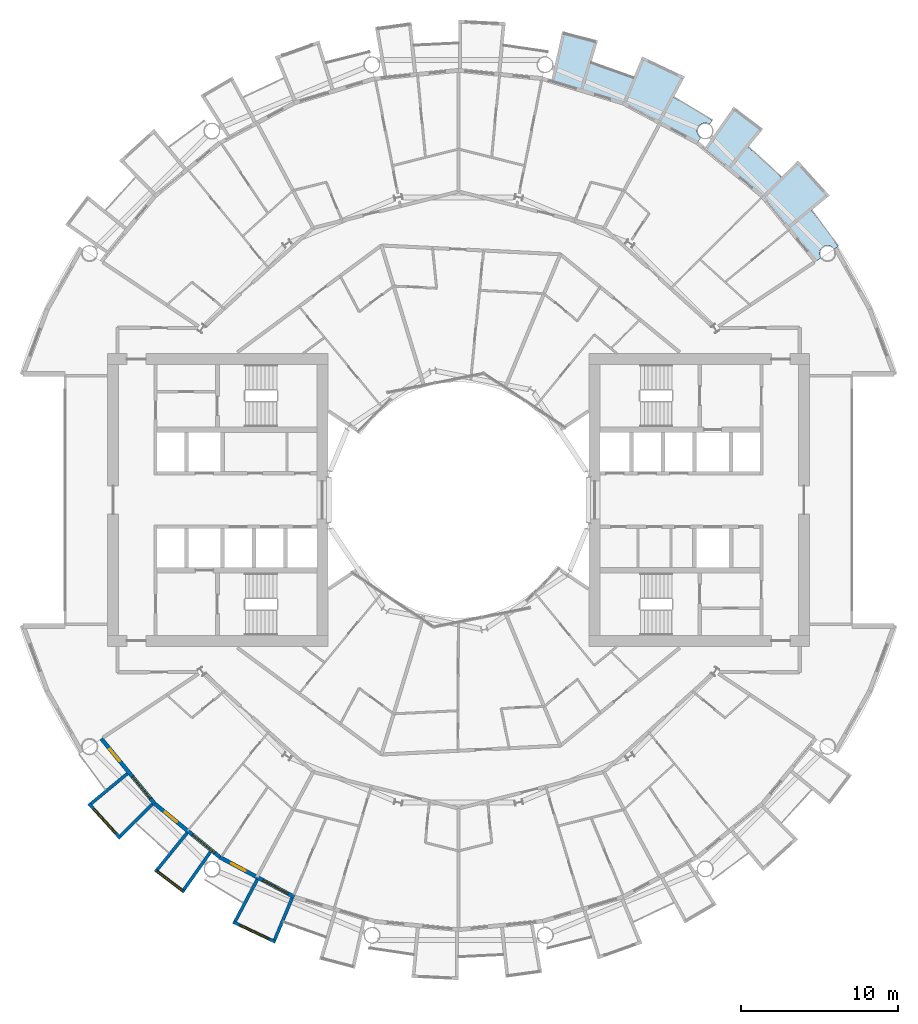
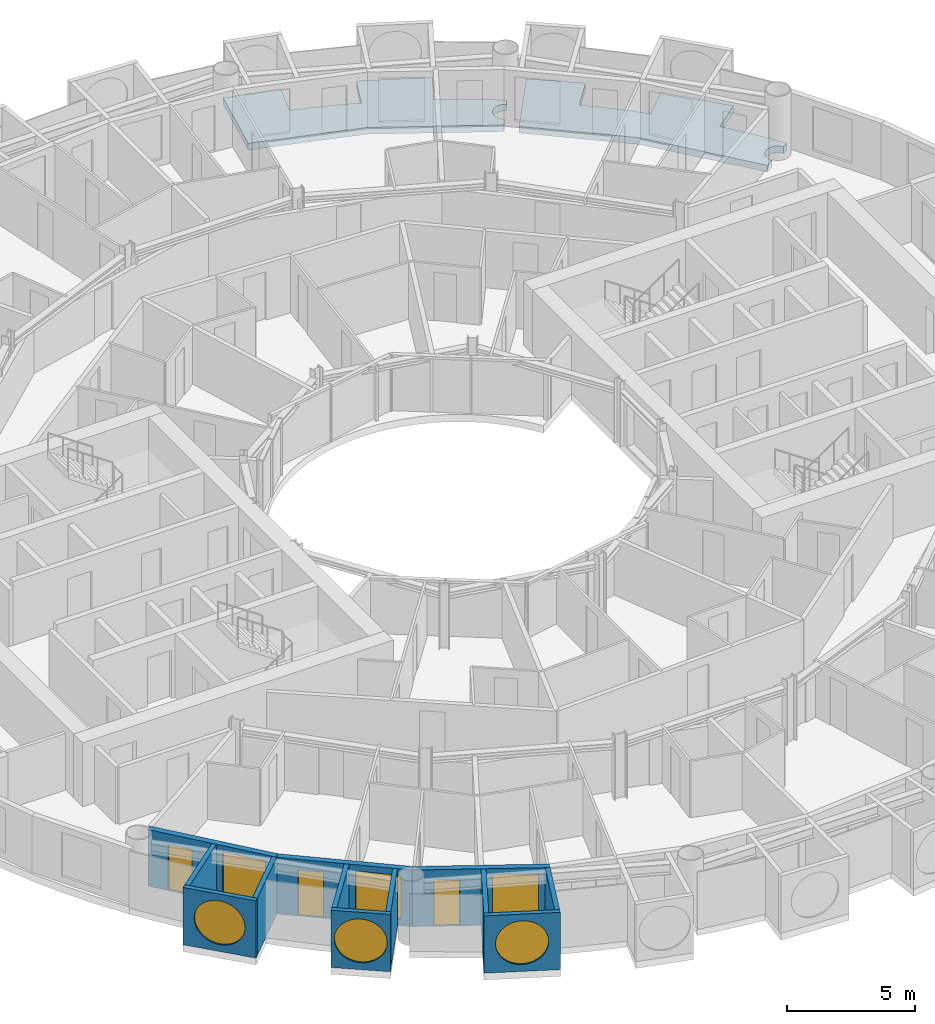
# One storey, part 12 of 26: 12 walls, 6 windows, 3 doors, 2 slabs, 9 openings.
"""IFC4 building model written with IfcOpenShell, lengths in metres."""

from ifc_helpers import new_model, si_unit, direction, frame, frame_2d, origin, place, context, subcontext, project, spatial, polyline, rectangle, circle, outline, extrude, material, layer, layer_set, type_object, element, fill, save


model = new_model("IFC4")

# Units and contexts
model_context = context("Model", 3, precision=1e-05, world=origin(), true_north=direction((0.0, 1.0)))
body_context = subcontext(model_context, "Body", "Model", "MODEL_VIEW")
ifc_project = project(units=[si_unit("LENGTHUNIT", "METRE"), si_unit("AREAUNIT", "SQUARE_METRE"), si_unit("VOLUMEUNIT", "CUBIC_METRE"), si_unit("PLANEANGLEUNIT", "RADIAN"), si_unit("MASSUNIT", "GRAM", prefix="KILO")], contexts=[model_context])

# Site, building, storey
site_placement = place(None, origin())
site = spatial("IfcSite", under=ifc_project, at=site_placement, CompositionType="ELEMENT")
building_placement = place(site_placement, origin())
building = spatial("IfcBuilding", under=site, at=building_placement, Name="Maasbend Ring Residences", CompositionType="ELEMENT")
storey_placement = place(building_placement, frame((0.0, 0.0, 81.89990234375)))
storey = spatial("IfcBuildingStorey", under=building, at=storey_placement, Name="L23", CompositionType="ELEMENT", Elevation=81.89990234375)

# Slabs
ifc_material_1 = material(Name="Concrete C40/50", Category="concrete")
ifc_layer_1 = layer(ifc_material_1, 0.199951171875)
ifc_layer_set_1 = layer_set([ifc_layer_1], Name="Concrete C40/50")
slab_type = type_object("IfcSlabType", Name="SL-LOGGIA", PredefinedType="FLOOR", material=ifc_layer_set_1)
slab_1_placement = place(storey_placement, frame((0.0, 0.0, -0.349853515625)))
element("IfcSlab", 1, at=slab_1_placement, inside=storey, type_object=slab_type, Name="Loggia floor 1", PredefinedType="FLOOR", context=body_context, shape_type="SweptSolid", body=[
    extrude(outline(polyline([(8.85400390625, 29.18701171875), (8.85400390625, 29.18701171875), (8.85400390625, 29.18701171875), (8.41796875, 27.751953125), (8.41796875, 27.751953125), (8.41796875, 27.751953125), (8.41796875, 27.751953125), (8.41796875, 27.751953125), (8.41796875, 27.751953125), (8.41796875, 27.7509765625), (8.41796875, 27.7509765625), (8.41796875, 27.7509765625), (8.41796875, 27.7509765625), (8.41796875, 27.7509765625), (8.4189453125, 27.7509765625), (8.4189453125, 27.7509765625), (8.4189453125, 27.7509765625), (8.4189453125, 27.7509765625), (8.4189453125, 27.7509765625), (8.4189453125, 27.7509765625), (9.322021484375, 27.4609375), (9.322021484375, 27.4609375), (10.215087890625, 27.14111328125), (10.215087890625, 27.14111328125), (11.096923828125, 26.79296875), (11.096923828125, 26.79296875), (11.096923828125, 26.79296875), (11.097900390625, 26.79296875), (11.097900390625, 26.79296875), (11.097900390625, 26.79296875), (11.097900390625, 26.79296875), (11.097900390625, 26.79296875), (11.097900390625, 26.79296875), (11.097900390625, 26.79296875), (11.097900390625, 26.79296875), (11.097900390625, 26.79296875), (11.097900390625, 26.79296875), (11.097900390625, 26.79296875), (11.097900390625, 26.79296875), (11.097900390625, 26.79296875), (11.097900390625, 26.79296875), (11.672119140625, 28.177978515625), (11.672119140625, 28.177978515625), (11.672119140625, 28.177978515625), (14.3779296875, 26.89892578125), (14.3779296875, 26.89892578125), (14.3779296875, 26.89892578125), (13.6708984375, 25.575927734375), (13.6708984375, 25.575927734375), (13.6708984375, 25.575927734375), (13.6708984375, 25.575927734375), (13.6708984375, 25.575927734375), (13.6708984375, 25.575927734375), (13.6708984375, 25.575927734375), (13.6708984375, 25.575927734375), (13.6708984375, 25.575927734375), (13.6708984375, 25.575927734375), (13.6708984375, 25.575927734375), (13.6708984375, 25.575927734375), (13.6708984375, 25.575927734375), (13.6708984375, 25.575927734375), (13.6708984375, 25.575927734375), (13.6708984375, 25.575927734375), (13.6708984375, 25.574951171875), (14.5, 25.114990234375), (14.5, 25.114990234375), (15.31396484375, 24.626953125), (15.31396484375, 24.626953125), (16.112060546875, 24.113037109375), (16.112060546875, 24.113037109375), (16.112060546875, 24.113037109375), (15.948974609375, 23.8701171875), (15.93896484375, 23.876953125), (15.927978515625, 23.883056640625), (15.9169921875, 23.888916015625), (15.906982421875, 23.89501953125), (15.89599609375, 23.90087890625), (15.884033203125, 23.906982421875), (15.873046875, 23.912109375), (15.862060546875, 23.9169921875), (15.85009765625, 23.9208984375), (15.837890625, 23.926025390625), (15.825927734375, 23.929931640625), (15.81494140625, 23.93408203125), (15.802978515625, 23.93701171875), (15.791015625, 23.93994140625), (15.778076171875, 23.943115234375), (15.76611328125, 23.946044921875), (15.75390625, 23.947998046875), (15.741943359375, 23.949951171875), (15.72900390625, 23.951904296875), (15.717041015625, 23.952880859375), (15.7041015625, 23.9541015625), (15.69189453125, 23.955078125), (15.679931640625, 23.955078125), (15.6669921875, 23.955078125), (15.655029296875, 23.955078125), (15.64208984375, 23.955078125), (15.6298828125, 23.9541015625), (15.616943359375, 23.952880859375), (15.60498046875, 23.951904296875), (15.593017578125, 23.949951171875), (15.580078125, 23.947998046875), (15.568115234375, 23.946044921875), (15.555908203125, 23.943115234375), (15.5439453125, 23.93994140625), (15.531982421875, 23.93701171875), (15.52001953125, 23.93408203125), (15.508056640625, 23.929931640625), (15.49609375, 23.926025390625), (15.48388671875, 23.9208984375), (15.472900390625, 23.9169921875), (15.4609375, 23.912109375), (15.449951171875, 23.906982421875), (15.43896484375, 23.90087890625), (15.427978515625, 23.89501953125), (15.4169921875, 23.888916015625), (15.406005859375, 23.883056640625), (15.39501953125, 23.876953125), (15.385009765625, 23.8701171875), (15.375, 23.863037109375), (15.364013671875, 23.85498046875), (15.35498046875, 23.847900390625), (15.344970703125, 23.840087890625), (15.3349609375, 23.83203125), (15.325927734375, 23.823974609375), (15.31689453125, 23.81494140625), (15.30810546875, 23.806884765625), (15.299072265625, 23.798095703125), (15.291015625, 23.7890625), (15.281982421875, 23.779052734375), (15.27392578125, 23.77001953125), (15.26708984375, 23.760009765625), (15.259033203125, 23.75), (15.251953125, 23.739990234375), (15.2451171875, 23.72998046875), (15.238037109375, 23.718994140625), (15.23095703125, 23.708984375), (15.22509765625, 23.697998046875), (15.218994140625, 23.68701171875), (15.212890625, 23.676025390625), (15.2080078125, 23.6650390625), (15.202880859375, 23.653076171875), (15.197998046875, 23.64208984375), (15.193115234375, 23.6298828125), (15.18896484375, 23.618896484375), (15.18505859375, 23.60693359375), (15.180908203125, 23.594970703125), (15.177978515625, 23.5830078125), (15.174072265625, 23.571044921875), (15.1708984375, 23.55908203125), (15.1689453125, 23.547119140625), (15.1669921875, 23.533935546875), (15.1650390625, 23.52197265625), (15.1630859375, 23.510009765625), (15.162109375, 23.4970703125), (15.159912109375, 23.485107421875), (15.159912109375, 23.471923828125), (15.158935546875, 23.4599609375), (15.158935546875, 23.447021484375), (15.158935546875, 23.43505859375), (15.159912109375, 23.422119140625), (15.159912109375, 23.409912109375), (15.162109375, 23.39794921875), (15.1630859375, 23.385009765625), (15.1650390625, 23.373046875), (15.1669921875, 23.361083984375), (15.1689453125, 23.347900390625), (15.1708984375, 23.3359375), (15.174072265625, 23.323974609375), (15.177978515625, 23.31201171875), (15.180908203125, 23.300048828125), (15.18505859375, 23.2880859375), (15.18896484375, 23.27587890625), (15.193115234375, 23.264892578125), (15.197998046875, 23.2529296875), (15.202880859375, 23.241943359375), (15.2080078125, 23.22998046875), (15.212890625, 23.218994140625), (15.218994140625, 23.2080078125), (15.22509765625, 23.197021484375), (15.23095703125, 23.18603515625), (15.238037109375, 23.176025390625), (15.2451171875, 23.1650390625), (15.251953125, 23.155029296875), (15.259033203125, 23.14501953125), (15.26708984375, 23.135009765625), (15.27392578125, 23.125), (15.281982421875, 23.115966796875), (15.291015625, 23.10595703125), (15.299072265625, 23.096923828125), (15.30810546875, 23.087890625), (15.31689453125, 23.0791015625), (15.325927734375, 23.071044921875), (15.3349609375, 23.06298828125), (15.344970703125, 23.054931640625), (15.35498046875, 23.047119140625), (15.364013671875, 23.0390625), (15.375, 23.031982421875), (15.385009765625, 23.02490234375), (15.1669921875, 22.698974609375), (15.1669921875, 22.698974609375), (15.1669921875, 22.698974609375), (12.806884765625, 23.9609375), (10.447021484375, 25.221923828125), (10.447021484375, 25.221923828125), (10.447021484375, 25.221923828125), (7.886962890625, 25.9990234375), (5.89111328125, 26.60400390625), (5.89111328125, 26.60400390625), (5.89111328125, 26.60400390625), (6.593994140625, 29.779052734375), (6.593994140625, 29.779052734375), (6.593994140625, 29.779052734375), (8.85400390625, 29.18701171875)])), origin(), (0.0, 0.0, 1.0), 0.320068359375),
])
slab_2_placement = place(storey_placement, frame((0.0, 0.0, -0.349853515625)))
element("IfcSlab", 2, at=slab_2_placement, inside=storey, type_object=slab_type, Name="Loggia floor 4", PredefinedType="FLOOR", context=body_context, shape_type="SweptSolid", body=[
    extrude(outline(polyline([(19.34912109375, 23.576904296875), (19.34912109375, 23.576904296875), (19.34912109375, 23.576904296875), (18.39794921875, 22.41796875), (18.39794921875, 22.41796875), (18.39794921875, 22.41796875), (18.39794921875, 22.41796875), (18.39794921875, 22.41796875), (18.39794921875, 22.4169921875), (18.39794921875, 22.4169921875), (18.39794921875, 22.4169921875), (18.39794921875, 22.4169921875), (18.39794921875, 22.4169921875), (18.39794921875, 22.4169921875), (18.39794921875, 22.4169921875), (18.39794921875, 22.4169921875), (18.39794921875, 22.4169921875), (18.39794921875, 22.4169921875), (18.39794921875, 22.4169921875), (18.39794921875, 22.4169921875), (19.12109375, 21.802978515625), (19.12109375, 21.802978515625), (19.823974609375, 21.166015625), (19.823974609375, 21.166015625), (20.506103515625, 20.506103515625), (20.506103515625, 20.506103515625), (20.506103515625, 20.506103515625), (20.506103515625, 20.506103515625), (20.506103515625, 20.506103515625), (20.506103515625, 20.506103515625), (20.506103515625, 20.506103515625), (20.506103515625, 20.506103515625), (20.506103515625, 20.506103515625), (20.506103515625, 20.506103515625), (20.506103515625, 20.506103515625), (20.506103515625, 20.506103515625), (20.506103515625, 20.506103515625), (20.506103515625, 20.506103515625), (20.506103515625, 20.506103515625), (20.506103515625, 20.506103515625), (20.506103515625, 20.506103515625), (21.56689453125, 21.56689453125), (21.56689453125, 21.56689453125), (21.56689453125, 21.56689453125), (23.576904296875, 19.34912109375), (23.576904296875, 19.34912109375), (23.576904296875, 19.34912109375), (22.41796875, 18.39794921875), (22.41796875, 18.39794921875), (22.41796875, 18.39794921875), (22.41796875, 18.39794921875), (22.41796875, 18.39794921875), (22.41796875, 18.39794921875), (22.41796875, 18.39697265625), (22.41796875, 18.39697265625), (22.41796875, 18.39697265625), (22.41796875, 18.39697265625), (22.41796875, 18.39697265625), (22.41796875, 18.39697265625), (22.41796875, 18.39697265625), (22.41796875, 18.39697265625), (22.41796875, 18.39697265625), (22.41796875, 18.39697265625), (22.41796875, 18.39697265625), (23.007080078125, 17.654052734375), (23.007080078125, 17.654052734375), (23.572998046875, 16.89208984375), (23.572998046875, 16.89208984375), (24.113037109375, 16.112060546875), (24.113037109375, 16.112060546875), (24.113037109375, 16.112060546875), (23.8701171875, 15.948974609375), (23.8701171875, 15.948974609375), (23.863037109375, 15.9599609375), (23.85498046875, 15.969970703125), (23.847900390625, 15.97998046875), (23.840087890625, 15.989013671875), (23.83203125, 15.9990234375), (23.823974609375, 16.008056640625), (23.81494140625, 16.01708984375), (23.806884765625, 16.02587890625), (23.798095703125, 16.034912109375), (23.7890625, 16.0439453125), (23.779052734375, 16.052001953125), (23.77001953125, 16.06005859375), (23.760009765625, 16.068115234375), (23.75, 16.074951171875), (23.739990234375, 16.08203125), (23.72998046875, 16.089111328125), (23.718994140625, 16.095947265625), (23.708984375, 16.10302734375), (23.697998046875, 16.10888671875), (23.68701171875, 16.114990234375), (23.676025390625, 16.12109375), (23.6650390625, 16.1259765625), (23.653076171875, 16.132080078125), (23.64208984375, 16.135986328125), (23.6298828125, 16.14111328125), (23.618896484375, 16.14501953125), (23.60693359375, 16.14892578125), (23.594970703125, 16.153076171875), (23.5830078125, 16.156982421875), (23.571044921875, 16.159912109375), (23.55908203125, 16.1630859375), (23.547119140625, 16.1650390625), (23.533935546875, 16.16796875), (23.52197265625, 16.169921875), (23.510009765625, 16.1708984375), (23.4970703125, 16.173095703125), (23.485107421875, 16.174072265625), (23.471923828125, 16.174072265625), (23.4599609375, 16.175048828125), (23.447021484375, 16.175048828125), (23.43505859375, 16.175048828125), (23.422119140625, 16.174072265625), (23.409912109375, 16.174072265625), (23.39794921875, 16.173095703125), (23.385009765625, 16.1708984375), (23.373046875, 16.169921875), (23.361083984375, 16.16796875), (23.347900390625, 16.1650390625), (23.3359375, 16.1630859375), (23.323974609375, 16.159912109375), (23.31201171875, 16.156982421875), (23.300048828125, 16.153076171875), (23.2880859375, 16.14892578125), (23.27587890625, 16.14501953125), (23.264892578125, 16.14111328125), (23.2529296875, 16.135986328125), (23.241943359375, 16.132080078125), (23.22998046875, 16.1259765625), (23.218994140625, 16.12109375), (23.2080078125, 16.114990234375), (23.197021484375, 16.10888671875), (23.18603515625, 16.10302734375), (23.176025390625, 16.095947265625), (23.1650390625, 16.089111328125), (23.155029296875, 16.08203125), (23.14501953125, 16.074951171875), (23.135009765625, 16.068115234375), (23.125, 16.06005859375), (23.115966796875, 16.052001953125), (23.10595703125, 16.0439453125), (23.096923828125, 16.034912109375), (23.087890625, 16.02587890625), (23.0791015625, 16.01708984375), (23.071044921875, 16.008056640625), (23.06298828125, 15.9990234375), (23.054931640625, 15.989013671875), (23.047119140625, 15.97998046875), (23.0390625, 15.969970703125), (23.031982421875, 15.9599609375), (23.02490234375, 15.948974609375), (23.01806640625, 15.93896484375), (23.011962890625, 15.927978515625), (23.0048828125, 15.9169921875), (22.9990234375, 15.906982421875), (22.993896484375, 15.89599609375), (22.988037109375, 15.884033203125), (22.98291015625, 15.873046875), (22.97802734375, 15.862060546875), (22.972900390625, 15.85009765625), (22.968994140625, 15.837890625), (22.965087890625, 15.825927734375), (22.9609375, 15.81494140625), (22.9580078125, 15.802978515625), (22.955078125, 15.791015625), (22.951904296875, 15.778076171875), (22.948974609375, 15.76611328125), (22.947021484375, 15.75390625), (22.945068359375, 15.741943359375), (22.943115234375, 15.72900390625), (22.94189453125, 15.717041015625), (22.94091796875, 15.7041015625), (22.93994140625, 15.69189453125), (22.93994140625, 15.679931640625), (22.93896484375, 15.6669921875), (22.93994140625, 15.655029296875), (22.93994140625, 15.64208984375), (22.94091796875, 15.6298828125), (22.94189453125, 15.616943359375), (22.943115234375, 15.60498046875), (22.945068359375, 15.593017578125), (22.947021484375, 15.580078125), (22.948974609375, 15.568115234375), (22.951904296875, 15.555908203125), (22.955078125, 15.5439453125), (22.9580078125, 15.531982421875), (22.9609375, 15.52001953125), (22.965087890625, 15.508056640625), (22.968994140625, 15.49609375), (22.972900390625, 15.48388671875), (22.97802734375, 15.472900390625), (22.98291015625, 15.4609375), (22.988037109375, 15.449951171875), (22.993896484375, 15.43896484375), (22.9990234375, 15.427978515625), (23.0048828125, 15.4169921875), (23.011962890625, 15.406005859375), (23.01806640625, 15.39501953125), (23.02490234375, 15.385009765625), (23.02490234375, 15.385009765625), (22.698974609375, 15.1669921875), (22.698974609375, 15.1669921875), (22.698974609375, 15.1669921875), (21.001953125, 17.236083984375), (19.303955078125, 19.303955078125), (19.303955078125, 19.303955078125), (19.303955078125, 19.303955078125), (17.236083984375, 21.001953125), (15.623046875, 22.324951171875), (15.623046875, 22.324951171875), (15.623046875, 22.324951171875), (17.488037109375, 24.989013671875), (17.488037109375, 24.989013671875), (17.488037109375, 24.989013671875), (19.34912109375, 23.576904296875)])), origin(), (0.0, 0.0, 1.0), 0.320068359375),
])

# Wall, opening, window
ifc_material_2 = material(Name="Pale anodised aluminium panel", Category="aluminium")
ifc_layer_2 = layer(ifc_material_2, 0.199951171875)
ifc_layer_set_2 = layer_set([ifc_layer_2], Name="EW-BOX")
wall_type_1 = type_object("IfcWallType", Name="EW-BOX", PredefinedType="SOLIDWALL", material=ifc_layer_set_2)
wall_1_placement = place(storey_placement, frame((-23.5029296875, -19.281982421875, -0.02978515625), z_axis=(0.0, 0.0, 1.0), x_axis=(0.671506829416, -0.740998365753, 0.0)))
wall_1 = element("IfcWall", 3, at=wall_1_placement, inside=storey, type_object=wall_type_1, Name="Box front S02", PredefinedType="SOLIDWALL", context=body_context, shape_type="SweptSolid", body=[
    extrude(rectangle(XDim=2.9931640625, YDim=0.199951171875, at=frame_2d((1.49658203125, 0.0))), origin(), (0.0, 0.0, 1.0), 2.72998046875),
])
opening_1_placement = place(wall_1_placement, frame((0.45654296875, 0.0, 0.330078125)))
opening_1 = element("IfcOpeningElement", 4, at=opening_1_placement, cuts=wall_1, Name="Opening W-RD", PredefinedType="OPENING", context=body_context, shape_type="SweptSolid", body=[
    extrude(circle(Radius=1.0400390625, at=frame_2d((1.0400390625, 1.0400390625))), frame((0.0, 0.10986328125, 0.0), z_axis=(0.0, -1.0, 0.0), x_axis=(1.0, 0.0, 0.0)), (0.0, 0.0, 1.0), 0.219970703125),
])
ifc_material_3 = material(Name="Aluminium and clear glass", Category="aluminium")
window_type_1 = type_object("IfcWindowType", Name="W-RD", PartitioningType="SINGLE_PANEL", PredefinedType="WINDOW", material=ifc_material_3)
window_1_placement = place(opening_1_placement, origin())
window_1 = element("IfcWindow", 5, at=window_1_placement, inside=storey, type_object=window_type_1, Name="Round window S02", OverallHeight=2.080078125, OverallWidth=2.080078125, PartitioningType="SINGLE_PANEL", PredefinedType="WINDOW", context=body_context, shape_type="SweptSolid", body=[
    extrude(circle(Radius=1.0400390625, at=frame_2d((1.0400390625, 1.0400390625))), frame((0.0, 0.030029296875, 0.0), z_axis=(0.0, -1.0, 0.0), x_axis=(1.0, 0.0, 0.0)), (0.0, 0.0, 1.0), 0.06005859375),
])
fill(opening_1, window_1)

# Walls
wall_2_placement = place(storey_placement, frame((-21.041015625, -17.384033203125, -0.02978515625), z_axis=(0.0, 0.0, 1.0), x_axis=(-0.770784861449, -0.63709551667, 0.0)))
element("IfcWall", 6, at=wall_2_placement, inside=storey, type_object=wall_type_1, Name="Box side wall S02 left", PredefinedType="SOLIDWALL", context=body_context, shape_type="SweptSolid", body=[
    extrude(rectangle(XDim=3.005859375, YDim=0.199951171875, at=frame_2d((1.5029296875, 0.0))), origin(), (0.0, 0.0, 1.0), 2.72998046875),
])
wall_3_placement = place(storey_placement, frame((-19.449951171875, -19.322998046875, -0.02978515625), z_axis=(0.0, 0.0, 1.0), x_axis=(-0.709727076896, -0.704476739375, 0.0)))
element("IfcWall", 7, at=wall_3_placement, inside=storey, type_object=wall_type_1, Name="Box side wall S02 right", PredefinedType="SOLIDWALL", context=body_context, shape_type="SweptSolid", body=[
    extrude(rectangle(XDim=2.883056640625, YDim=0.199951171875, at=frame_2d((1.44140625, 0.0))), origin(), (0.0, 0.0, 1.0), 2.72998046875),
])

# Wall, opening, window
wall_4_placement = place(storey_placement, frame((-19.2890625, -23.4970703125, -0.02978515625), z_axis=(0.0, 0.0, 1.0), x_axis=(0.796842165306, -0.60418752353, 0.0)))
wall_4 = element("IfcWall", 8, at=wall_4_placement, inside=storey, type_object=wall_type_1, Name="Box front S04", PredefinedType="SOLIDWALL", context=body_context, shape_type="SweptSolid", body=[
    extrude(rectangle(XDim=2.3369140625, YDim=0.199951171875, at=frame_2d((1.16845703125, 0.0))), origin(), (0.0, 0.0, 1.0), 2.72998046875),
])
opening_2_placement = place(wall_4_placement, frame((0.128173828125, 0.0, 0.330078125)))
opening_2 = element("IfcOpeningElement", 9, at=opening_2_placement, cuts=wall_4, Name="Opening W-RD", PredefinedType="OPENING", context=body_context, shape_type="SweptSolid", body=[
    extrude(circle(Radius=1.0400390625, at=frame_2d((1.0400390625, 1.0400390625))), frame((0.0, 0.10986328125, 0.0), z_axis=(0.0, -1.0, 0.0), x_axis=(1.0, 0.0, 0.0)), (0.0, 0.0, 1.0), 0.219970703125),
])
window_2_placement = place(opening_2_placement, origin())
window_2 = element("IfcWindow", 10, at=window_2_placement, inside=storey, type_object=window_type_1, Name="Round window S04", OverallHeight=2.080078125, OverallWidth=2.080078125, PartitioningType="SINGLE_PANEL", PredefinedType="WINDOW", context=body_context, shape_type="SweptSolid", body=[
    extrude(circle(Radius=1.0400390625, at=frame_2d((1.0400390625, 1.0400390625))), frame((0.0, 0.030029296875, 0.0), z_axis=(0.0, -1.0, 0.0), x_axis=(1.0, 0.0, 0.0)), (0.0, 0.0, 1.0), 0.06005859375),
])
fill(opening_2, window_2)

# Walls
wall_5_placement = place(storey_placement, frame((-17.24609375, -21.155029296875, -0.02978515625), z_axis=(0.0, 0.0, 1.0), x_axis=(-0.631741648902, -0.775179004516, 0.0)))
element("IfcWall", 11, at=wall_5_placement, inside=storey, type_object=wall_type_1, Name="Box side wall S04 left", PredefinedType="SOLIDWALL", context=body_context, shape_type="SweptSolid", body=[
    extrude(rectangle(XDim=3.005859375, YDim=0.199951171875, at=frame_2d((1.5029296875, 0.0))), origin(), (0.0, 0.0, 1.0), 2.72998046875),
])
wall_6_placement = place(storey_placement, frame((-15.764892578125, -22.3701171875, -0.02978515625), z_axis=(0.0, 0.0, 1.0), x_axis=(-0.576274612209, -0.817256123454, 0.0)))
element("IfcWall", 12, at=wall_6_placement, inside=storey, type_object=wall_type_1, Name="Box side wall S04 right", PredefinedType="SOLIDWALL", context=body_context, shape_type="SweptSolid", body=[
    extrude(rectangle(XDim=2.932861328125, YDim=0.199951171875, at=frame_2d((1.46630859375, 0.0))), origin(), (0.0, 0.0, 1.0), 2.72998046875),
])

# Wall, opening, window
wall_7_placement = place(storey_placement, frame((-14.3349609375, -26.80810546875, -0.02978515625), z_axis=(0.0, 0.0, 1.0), x_axis=(0.904000060331, -0.427532327342, 0.0)))
wall_7 = element("IfcWall", 13, at=wall_7_placement, inside=storey, type_object=wall_type_1, Name="Box front S06", PredefinedType="SOLIDWALL", context=body_context, shape_type="SweptSolid", body=[
    extrude(rectangle(XDim=2.993408203125, YDim=0.199951171875, at=frame_2d((1.49658203125, 0.0))), origin(), (0.0, 0.0, 1.0), 2.72998046875),
])
opening_3_placement = place(wall_7_placement, frame((0.45654296875, 0.0, 0.330078125)))
opening_3 = element("IfcOpeningElement", 14, at=opening_3_placement, cuts=wall_7, Name="Opening W-RD", PredefinedType="OPENING", context=body_context, shape_type="SweptSolid", body=[
    extrude(circle(Radius=1.0400390625, at=frame_2d((1.0400390625, 1.0400390625))), frame((0.0, 0.10986328125, 0.0), z_axis=(0.0, -1.0, 0.0), x_axis=(1.0, 0.0, 0.0)), (0.0, 0.0, 1.0), 0.219970703125),
])
window_3_placement = place(opening_3_placement, origin())
window_3 = element("IfcWindow", 15, at=window_3_placement, inside=storey, type_object=window_type_1, Name="Round window S06", OverallHeight=2.080078125, OverallWidth=2.080078125, PartitioningType="SINGLE_PANEL", PredefinedType="WINDOW", context=body_context, shape_type="SweptSolid", body=[
    extrude(circle(Radius=1.0400390625, at=frame_2d((1.0400390625, 1.0400390625))), frame((0.0, 0.030029296875, 0.0), z_axis=(0.0, -1.0, 0.0), x_axis=(1.0, 0.0, 0.0)), (0.0, 0.0, 1.0), 0.06005859375),
])
fill(opening_3, window_3)

# Walls
wall_8_placement = place(storey_placement, frame((-12.787109375, -24.113037109375, -0.02978515625), z_axis=(0.0, 0.0, 1.0), x_axis=(-0.468365282436, -0.883534924159, 0.0)))
element("IfcWall", 16, at=wall_8_placement, inside=storey, type_object=wall_type_1, Name="Box side wall S06 left", PredefinedType="SOLIDWALL", context=body_context, shape_type="SweptSolid", body=[
    extrude(rectangle(XDim=3.006103515625, YDim=0.199951171875, at=frame_2d((1.5029296875, 0.0))), origin(), (0.0, 0.0, 1.0), 2.72998046875),
])
wall_9_placement = place(storey_placement, frame((-10.574951171875, -25.294921875, -0.02978515625), z_axis=(0.0, 0.0, 1.0), x_axis=(-0.385697364644, -0.922625353492, 0.0)))
element("IfcWall", 17, at=wall_9_placement, inside=storey, type_object=wall_type_1, Name="Box side wall S06 right", PredefinedType="SOLIDWALL", context=body_context, shape_type="SweptSolid", body=[
    extrude(rectangle(XDim=2.88330078125, YDim=0.199951171875, at=frame_2d((1.441650390625, 0.0))), origin(), (0.0, 0.0, 1.0), 2.72998046875),
])

# Wall, openings, door, window
ifc_material_4 = material(Name="Aluminium clad insulated panel", Category="aluminium")
ifc_layer_3 = layer(ifc_material_4, 0.25)
ifc_layer_set_3 = layer_set([ifc_layer_3], Name="EW-GL")
wall_type_2 = type_object("IfcWallType", Name="EW-GL", PredefinedType="SOLIDWALL", material=ifc_layer_set_3)
wall_10_placement = place(storey_placement, frame((-22.698974609375, -15.1669921875, 0.0), z_axis=(0.0, 0.0, 1.0), x_axis=(0.634382322723, -0.773019449054, 0.0)))
wall_10 = element("IfcWall", 18, at=wall_10_placement, inside=storey, type_object=wall_type_2, Name="External wall S01", PredefinedType="SOLIDWALL", context=body_context, shape_type="SweptSolid", body=[
    extrude(rectangle(XDim=5.351806640625, YDim=0.25, at=frame_2d((2.67578125, 0.0))), origin(), (0.0, 0.0, 1.0), 2.7001953125),
])
opening_4_placement = place(wall_10_placement, frame((0.841064453125, 0.0, 0.0)))
opening_4 = element("IfcOpeningElement", 19, at=opening_4_placement, cuts=wall_10, Name="Opening D-LG", PredefinedType="OPENING", context=body_context, shape_type="SweptSolid", body=[
    extrude(rectangle(XDim=1.0, YDim=2.199951171875, at=frame_2d((0.5, 1.10009765625))), frame((0.0, 0.135009765625, 0.0), z_axis=(0.0, -1.0, 0.0), x_axis=(1.0, 0.0, 0.0)), (0.0, 0.0, 1.0), 0.27001953125),
])
opening_5_placement = place(wall_10_placement, frame((3.110595703125, 0.0, 0.300048828125)))
opening_5 = element("IfcOpeningElement", 20, at=opening_5_placement, cuts=wall_10, Name="Opening W-BX", PredefinedType="OPENING", context=body_context, shape_type="SweptSolid", body=[
    extrude(rectangle(XDim=1.800048828125, YDim=2.10009765625, at=frame_2d((0.89990234375, 1.050048828125))), frame((0.0, 0.135009765625, 0.0), z_axis=(0.0, -1.0, 0.0), x_axis=(1.0, 0.0, 0.0)), (0.0, 0.0, 1.0), 0.27001953125),
])
ifc_material_5 = material(Name="Aluminium and clear glass", Category="aluminium")
door_type = type_object("IfcDoorType", Name="D-LG", OperationType="SINGLE_SWING_LEFT", PredefinedType="DOOR", material=ifc_material_5)
door_1_placement = place(opening_4_placement, origin())
door_1 = element("IfcDoor", 21, at=door_1_placement, inside=storey, type_object=door_type, Name="Loggia door S01", OperationType="SINGLE_SWING_LEFT", OverallHeight=2.199951171875, OverallWidth=1.0, PredefinedType="DOOR", context=body_context, shape_type="SweptSolid", body=[
    extrude(rectangle(XDim=1.0, YDim=2.199951171875, at=frame_2d((0.5, 1.10009765625))), frame((0.0, 0.02490234375, 0.0), z_axis=(0.0, -1.0, 0.0), x_axis=(1.0, 0.0, 0.0)), (0.0, 0.0, 1.0), 0.050048828125),
])
fill(opening_4, door_1)
ifc_material_6 = material(Name="Aluminium and clear glass", Category="aluminium")
window_type_2 = type_object("IfcWindowType", Name="W-BX", PartitioningType="DOUBLE_PANEL_VERTICAL", PredefinedType="WINDOW", material=ifc_material_6)
window_4_placement = place(opening_5_placement, origin())
window_4 = element("IfcWindow", 22, at=window_4_placement, inside=storey, type_object=window_type_2, Name="Window S02 room to box", OverallHeight=2.10009765625, OverallWidth=1.800048828125, PartitioningType="SINGLE_PANEL", PredefinedType="WINDOW", context=body_context, shape_type="SweptSolid", body=[
    extrude(rectangle(XDim=1.800048828125, YDim=2.10009765625, at=frame_2d((0.89990234375, 1.050048828125))), frame((0.0, 0.030029296875, 0.0), z_axis=(0.0, -1.0, 0.0), x_axis=(1.0, 0.0, 0.0)), (0.0, 0.0, 1.0), 0.06005859375),
])
fill(opening_5, window_4)

wall_11_placement = place(storey_placement, frame((-19.303955078125, -19.303955078125, 0.0), z_axis=(0.0, 0.0, 1.0), x_axis=(0.773019449054, -0.634382322723, 0.0)))
wall_11 = element("IfcWall", 23, at=wall_11_placement, inside=storey, type_object=wall_type_2, Name="External wall S02", PredefinedType="SOLIDWALL", context=body_context, shape_type="SweptSolid", body=[
    extrude(rectangle(XDim=5.351806640625, YDim=0.25, at=frame_2d((2.67578125, 0.0))), origin(), (0.0, 0.0, 1.0), 2.7001953125),
])
opening_6_placement = place(wall_11_placement, frame((0.841064453125, 0.0, 0.0)))
opening_6 = element("IfcOpeningElement", 24, at=opening_6_placement, cuts=wall_11, Name="Opening D-LG", PredefinedType="OPENING", context=body_context, shape_type="SweptSolid", body=[
    extrude(rectangle(XDim=1.0, YDim=2.199951171875, at=frame_2d((0.5, 1.10009765625))), frame((0.0, 0.135009765625, 0.0), z_axis=(0.0, -1.0, 0.0), x_axis=(1.0, 0.0, 0.0)), (0.0, 0.0, 1.0), 0.27001953125),
])
opening_7_placement = place(wall_11_placement, frame((3.110595703125, 0.0, 0.300048828125)))
opening_7 = element("IfcOpeningElement", 25, at=opening_7_placement, cuts=wall_11, Name="Opening W-BX", PredefinedType="OPENING", context=body_context, shape_type="SweptSolid", body=[
    extrude(rectangle(XDim=1.800048828125, YDim=2.10009765625, at=frame_2d((0.89990234375, 1.050048828125))), frame((0.0, 0.135009765625, 0.0), z_axis=(0.0, -1.0, 0.0), x_axis=(1.0, 0.0, 0.0)), (0.0, 0.0, 1.0), 0.27001953125),
])
door_2_placement = place(opening_6_placement, origin())
door_2 = element("IfcDoor", 26, at=door_2_placement, inside=storey, type_object=door_type, Name="Loggia door S03", OperationType="SINGLE_SWING_LEFT", OverallHeight=2.199951171875, OverallWidth=1.0, PredefinedType="DOOR", context=body_context, shape_type="SweptSolid", body=[
    extrude(rectangle(XDim=1.0, YDim=2.199951171875, at=frame_2d((0.5, 1.10009765625))), frame((0.0, 0.02490234375, 0.0), z_axis=(0.0, -1.0, 0.0), x_axis=(1.0, 0.0, 0.0)), (0.0, 0.0, 1.0), 0.050048828125),
])
fill(opening_6, door_2)
window_5_placement = place(opening_7_placement, origin())
window_5 = element("IfcWindow", 27, at=window_5_placement, inside=storey, type_object=window_type_2, Name="Window S04 room to box", OverallHeight=2.10009765625, OverallWidth=1.800048828125, PartitioningType="SINGLE_PANEL", PredefinedType="WINDOW", context=body_context, shape_type="SweptSolid", body=[
    extrude(rectangle(XDim=1.800048828125, YDim=2.10009765625, at=frame_2d((0.89990234375, 1.050048828125))), frame((0.0, 0.030029296875, 0.0), z_axis=(0.0, -1.0, 0.0), x_axis=(1.0, 0.0, 0.0)), (0.0, 0.0, 1.0), 0.06005859375),
])
fill(opening_7, window_5)

wall_12_placement = place(storey_placement, frame((-15.1669921875, -22.698974609375, 0.0), z_axis=(0.0, 0.0, 1.0), x_axis=(0.881915646801, -0.471407246368, 0.0)))
wall_12 = element("IfcWall", 28, at=wall_12_placement, inside=storey, type_object=wall_type_2, Name="External wall S03", PredefinedType="SOLIDWALL", context=body_context, shape_type="SweptSolid", body=[
    extrude(rectangle(XDim=5.35205078125, YDim=0.25, at=frame_2d((2.676025390625, 0.0))), origin(), (0.0, 0.0, 1.0), 2.7001953125),
])
opening_8_placement = place(wall_12_placement, frame((0.841064453125, 0.0, 0.0)))
opening_8 = element("IfcOpeningElement", 29, at=opening_8_placement, cuts=wall_12, Name="Opening D-LG", PredefinedType="OPENING", context=body_context, shape_type="SweptSolid", body=[
    extrude(rectangle(XDim=1.0, YDim=2.199951171875, at=frame_2d((0.5, 1.10009765625))), frame((0.0, 0.135009765625, 0.0), z_axis=(0.0, -1.0, 0.0), x_axis=(1.0, 0.0, 0.0)), (0.0, 0.0, 1.0), 0.27001953125),
])
opening_9_placement = place(wall_12_placement, frame((3.110595703125, 0.0, 0.300048828125)))
opening_9 = element("IfcOpeningElement", 30, at=opening_9_placement, cuts=wall_12, Name="Opening W-BX", PredefinedType="OPENING", context=body_context, shape_type="SweptSolid", body=[
    extrude(rectangle(XDim=1.800048828125, YDim=2.10009765625, at=frame_2d((0.89990234375, 1.050048828125))), frame((0.0, 0.135009765625, 0.0), z_axis=(0.0, -1.0, 0.0), x_axis=(1.0, 0.0, 0.0)), (0.0, 0.0, 1.0), 0.27001953125),
])
door_3_placement = place(opening_8_placement, origin())
door_3 = element("IfcDoor", 31, at=door_3_placement, inside=storey, type_object=door_type, Name="Loggia door S05", OperationType="SINGLE_SWING_LEFT", OverallHeight=2.199951171875, OverallWidth=1.0, PredefinedType="DOOR", context=body_context, shape_type="SweptSolid", body=[
    extrude(rectangle(XDim=1.0, YDim=2.199951171875, at=frame_2d((0.5, 1.10009765625))), frame((0.0, 0.02490234375, 0.0), z_axis=(0.0, -1.0, 0.0), x_axis=(1.0, 0.0, 0.0)), (0.0, 0.0, 1.0), 0.050048828125),
])
fill(opening_8, door_3)
window_6_placement = place(opening_9_placement, origin())
window_6 = element("IfcWindow", 32, at=window_6_placement, inside=storey, type_object=window_type_2, Name="Window S06 room to box", OverallHeight=2.10009765625, OverallWidth=1.800048828125, PartitioningType="SINGLE_PANEL", PredefinedType="WINDOW", context=body_context, shape_type="SweptSolid", body=[
    extrude(rectangle(XDim=1.800048828125, YDim=2.10009765625, at=frame_2d((0.89990234375, 1.050048828125))), frame((0.0, 0.030029296875, 0.0), z_axis=(0.0, -1.0, 0.0), x_axis=(1.0, 0.0, 0.0)), (0.0, 0.0, 1.0), 0.06005859375),
])
fill(opening_9, window_6)

save(model, "model.ifc")
